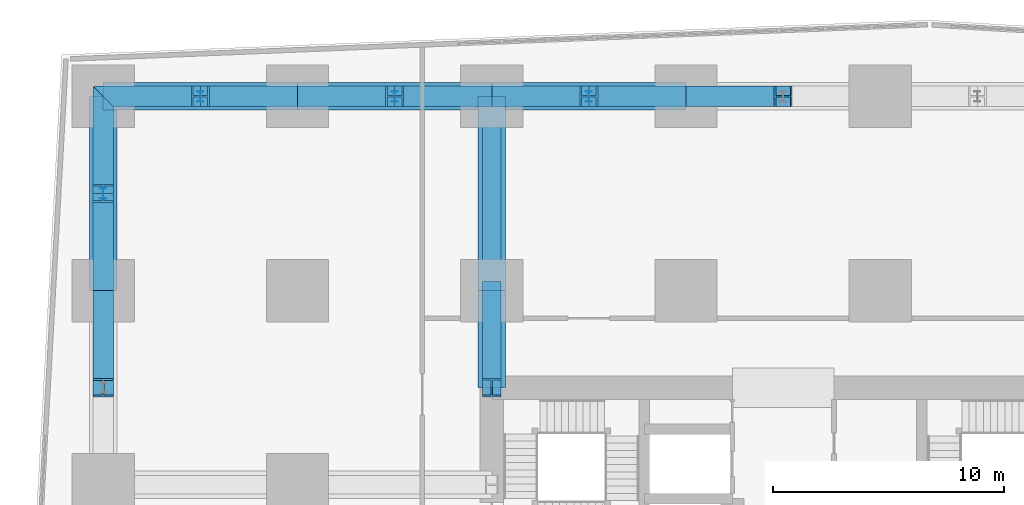
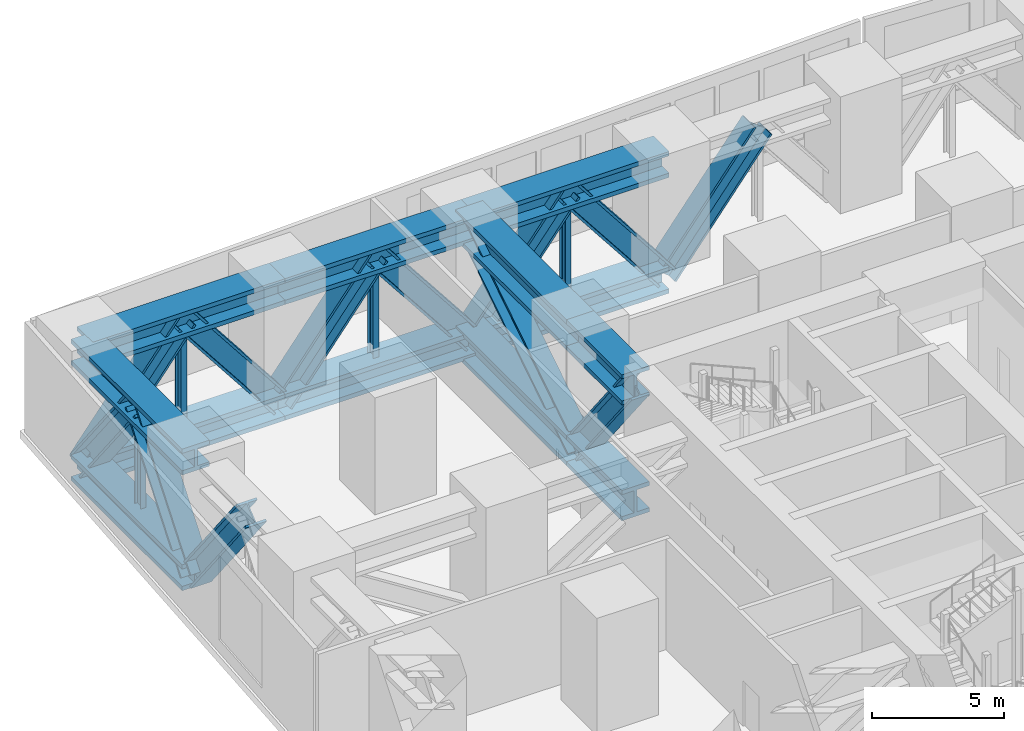
# One storey, part 6 of 16: 28 members.
"""IFC4 building model written with IfcOpenShell, lengths in metres."""

from ifc_helpers import new_model, si_unit, direction, frame, origin, origin_2d, place, context, subcontext, project, spatial, i_section, extrude, material, material_profile, profile_set, type_object, element, save


model = new_model("IFC4")

# Units and contexts
model_context = context("Model", 3, precision=1e-05, world=origin(), true_north=direction((0.0, 1.0)))
body_context = subcontext(model_context, "Body", "Model", "MODEL_VIEW")
ifc_project = project(units=[si_unit("LENGTHUNIT", "METRE"), si_unit("AREAUNIT", "SQUARE_METRE"), si_unit("VOLUMEUNIT", "CUBIC_METRE"), si_unit("PLANEANGLEUNIT", "RADIAN"), si_unit("MASSUNIT", "GRAM", prefix="KILO")], contexts=[model_context])

# Site, building, storey
site_placement = place(None, origin())
site = spatial("IfcSite", under=ifc_project, at=site_placement, CompositionType="ELEMENT")
building_placement = place(site_placement, origin())
building = spatial("IfcBuilding", under=site, at=building_placement, Name="Rekha Terrace Tower", CompositionType="ELEMENT")
storey_placement = place(building_placement, frame((0.0, 0.0, 162.800048828125)))
storey = spatial("IfcBuildingStorey", under=building, at=storey_placement, Name="L41", CompositionType="ELEMENT", Elevation=162.800048828125)

# Members
ifc_material = material(Name="Steel E350", Category="steel")
ifc_material_profile_1 = material_profile(ifc_material, i_section(OverallWidth=1.199951171875, OverallDepth=1.199951171875, WebThickness=0.1298828125, FlangeThickness=0.199951171875, at=origin_2d()), Name="BU 1200x1200x130x200")
ifc_profile_set_1 = profile_set([ifc_material_profile_1], Name="Steel E350")
member_type_1 = type_object("IfcMemberType", Name="BC41 BU 1200x1200x130x200 belt truss chord", PredefinedType="CHORD", material=ifc_profile_set_1)
for number, where, z_axis, x_axis, name in (
    (1, (33.60009765625, 58.800048828125, 4.300048828125), (-1.0, 0.0, 0.0), (0.0, -1.0, 0.0), "Belt top chord 5H-4H L41"),
    (2, (33.60009765625, 58.800048828125, -1.050048828125), (-1.0, 0.0, 0.0), (0.0, -1.0, 0.0), "Belt bottom chord 5H-4H L41"),
):
    element("IfcMember", number, at=place(storey_placement, frame(where, z_axis=z_axis, x_axis=x_axis)), inside=storey, type_object=member_type_1, Name=name, PredefinedType="CHORD", context=body_context, shape_type="SweptSolid", body=[
        extrude(i_section(OverallWidth=1.199951171875, OverallDepth=1.199951171875, WebThickness=0.1298828125, FlangeThickness=0.199951171875, at=origin_2d()), origin(), (0.0, 0.0, 1.0), 8.400146484375),
    ])
for number, where, z_axis, x_axis, name in (
    (3, (25.199951171875, 58.800048828125, 4.300048828125), (-1.0, 0.0, 0.0), (0.0, -1.0, 0.0), "Belt top chord 4H-3H L41"),
    (4, (25.199951171875, 58.800048828125, -1.050048828125), (-1.0, 0.0, 0.0), (0.0, -1.0, 0.0), "Belt bottom chord 4H-3H L41"),
):
    element("IfcMember", number, at=place(storey_placement, frame(where, z_axis=z_axis, x_axis=x_axis)), inside=storey, type_object=member_type_1, Name=name, PredefinedType="CHORD", context=body_context, shape_type="SweptSolid", body=[
        extrude(i_section(OverallWidth=1.199951171875, OverallDepth=1.199951171875, WebThickness=0.1298828125, FlangeThickness=0.199951171875, at=origin_2d()), origin(), (0.0, 0.0, 1.0), 8.39990234375),
    ])
for number, where, z_axis, x_axis, name in (
    (5, (16.800048828125, 58.800048828125, 4.300048828125), (-1.0, 0.0, 0.0), (0.0, -1.0, 0.0), "Belt top chord 3H-2H L41"),
    (6, (16.800048828125, 58.800048828125, -1.050048828125), (-1.0, 0.0, 0.0), (0.0, -1.0, 0.0), "Belt bottom chord 3H-2H L41"),
    (7, (8.39990234375, 58.800048828125, 4.300048828125), (0.0, -1.0, 0.0), (1.0, 0.0, 0.0), "Belt top chord 2H-2G L41"),
    (8, (8.39990234375, 58.800048828125, -1.050048828125), (0.0, -1.0, 0.0), (1.0, 0.0, 0.0), "Belt bottom chord 2H-2G L41"),
):
    element("IfcMember", number, at=place(storey_placement, frame(where, z_axis=z_axis, x_axis=x_axis)), inside=storey, type_object=member_type_1, Name=name, PredefinedType="CHORD", context=body_context, shape_type="SweptSolid", body=[
        extrude(i_section(OverallWidth=1.199951171875, OverallDepth=1.199951171875, WebThickness=0.1298828125, FlangeThickness=0.199951171875, at=origin_2d()), origin(), (0.0, 0.0, 1.0), 8.400146484375),
    ])
ifc_material_profile_2 = material_profile(ifc_material, i_section(OverallWidth=0.89990234375, OverallDepth=1.0, WebThickness=0.06005859375, FlangeThickness=0.10009765625, at=origin_2d()), Name="BU 1000x900x60x100")
ifc_profile_set_2 = profile_set([ifc_material_profile_2], Name="Steel E350")
member_type_2 = type_object("IfcMemberType", Name="BD41 BU 1000x900x60x100 belt truss diagonal", PredefinedType="BRACE", material=ifc_profile_set_2)
for number, where, z_axis, x_axis, name in (
    (9, (33.60009765625, 58.800048828125, -1.050048828125), (0.617485427507, 0.0, 0.786582320432), (0.0, 1.0, 0.0), "Belt diagonal 6H-5H L41"),
    (10, (33.60009765625, 58.800048828125, -1.050048828125), (-0.617507634842, 0.0, 0.78656488665), (0.0, -1.0, 0.0), "Belt diagonal 5H-4H L41"),
    (11, (25.199951171875, 58.800048828125, -1.050048828125), (0.617485427507, 0.0, 0.786582320432), (0.0, 1.0, 0.0), "Belt diagonal 5H-4H L41"),
    (12, (25.199951171875, 58.800048828125, -1.050048828125), (-0.617485427507, 0.0, 0.786582320432), (0.0, -1.0, 0.0), "Belt diagonal 4H-3H L41"),
    (13, (16.800048828125, 58.800048828125, -1.050048828125), (0.617485427507, 0.0, 0.786582320432), (0.0, 1.0, 0.0), "Belt diagonal 4H-3H L41"),
    (14, (16.800048828125, 58.800048828125, -1.050048828125), (-0.617485427507, 0.0, 0.786582320432), (0.0, -1.0, 0.0), "Belt diagonal 3H-2H L41"),
    (15, (8.39990234375, 58.800048828125, -1.050048828125), (0.617507634842, 0.0, 0.78656488665), (0.0, 1.0, 0.0), "Belt diagonal 3H-2H L41"),
    (16, (8.39990234375, 58.800048828125, -1.050048828125), (0.0, -0.617485427507, 0.786582320432), (1.0, 0.0, 0.0), "Belt diagonal 2H-2G L41"),
    (17, (8.39990234375, 50.39990234375, -1.050048828125), (0.0, 0.617507634842, 0.78656488665), (-1.0, 0.0, 0.0), "Belt diagonal 2H-2G L41"),
    (18, (8.39990234375, 50.39990234375, -1.050048828125), (0.0, -0.617485427507, 0.786582320432), (1.0, 0.0, 0.0), "Belt diagonal 2G-2F L41"),
):
    element("IfcMember", number, at=place(storey_placement, frame(where, z_axis=z_axis, x_axis=x_axis)), inside=storey, type_object=member_type_2, Name=name, PredefinedType="BRACE", context=body_context, shape_type="SweptSolid", body=[
        extrude(i_section(OverallWidth=0.89990234375, OverallDepth=1.0, WebThickness=0.06005859375, FlangeThickness=0.10009765625, at=origin_2d()), origin(), (0.0, 0.0, 1.0), 6.8017578125),
    ])
ifc_material_profile_3 = material_profile(ifc_material, i_section(OverallWidth=0.25, OverallDepth=0.449951171875, WebThickness=0.01123046875, FlangeThickness=0.017333984375, FilletRadius=0.014892578125, at=origin_2d()), Name="ISHB 450")
ifc_profile_set_3 = profile_set([ifc_material_profile_3], Name="Steel E350")
member_type_3 = type_object("IfcMemberType", Name="BV41 ISHB 450 belt truss post", PredefinedType="POST", material=ifc_profile_set_3)
for number, where, z_axis, x_axis, name in (
    (19, (29.39990234375, 58.800048828125, -0.449951171875), (0.0, 0.0, 1.0), (1.0, 0.0, 0.0), "Belt post 5H-4H L41"),
    (20, (21.0, 58.800048828125, -0.449951171875), (0.0, 0.0, 1.0), (1.0, 0.0, 0.0), "Belt post 4H-3H L41"),
    (21, (12.60009765625, 58.800048828125, -0.449951171875), (0.0, 0.0, 1.0), (1.0, 0.0, 0.0), "Belt post 3H-2H L41"),
    (22, (8.39990234375, 54.60009765625, -0.449951171875), (0.0, 0.0, 1.0), (1.0, 0.0, 0.0), "Belt post 2H-2G L41"),
):
    element("IfcMember", number, at=place(storey_placement, frame(where, z_axis=z_axis, x_axis=x_axis)), inside=storey, type_object=member_type_3, Name=name, PredefinedType="POST", context=body_context, shape_type="SweptSolid", body=[
        extrude(i_section(OverallWidth=0.25, OverallDepth=0.449951171875, WebThickness=0.01123046875, FlangeThickness=0.017333984375, FilletRadius=0.014892578125, at=origin_2d()), origin(), (0.0, 0.0, 1.0), 4.14990234375),
    ])
ifc_material_profile_4 = material_profile(ifc_material, i_section(OverallWidth=1.199951171875, OverallDepth=1.39990234375, WebThickness=0.139892578125, FlangeThickness=0.18994140625, at=origin_2d()), Name="BU 1400x1200x140x190")
ifc_profile_set_4 = profile_set([ifc_material_profile_4], Name="Steel E350")
member_type_4 = type_object("IfcMemberType", Name="OC41 BU 1400x1200x140x190 outrigger chord", PredefinedType="CHORD", material=ifc_profile_set_4)
for number, where, z_axis, x_axis, name in (
    (23, (25.199951171875, 46.199951171875, 4.300048828125), (0.0, 1.0, 0.0), (-1.0, 0.0, 0.0), "Outrigger top chord N4-1 L41"),
    (24, (25.199951171875, 46.199951171875, -1.050048828125), (0.0, 1.0, 0.0), (-1.0, 0.0, 0.0), "Outrigger bottom chord N4-1 L41"),
):
    element("IfcMember", number, at=place(storey_placement, frame(where, z_axis=z_axis, x_axis=x_axis)), inside=storey, type_object=member_type_4, Name=name, PredefinedType="CHORD", context=body_context, shape_type="SweptSolid", body=[
        extrude(i_section(OverallWidth=1.199951171875, OverallDepth=1.39990234375, WebThickness=0.139892578125, FlangeThickness=0.18994140625, at=origin_2d()), origin(), (0.0, 0.0, 1.0), 4.199951171875),
    ])
for number, where, z_axis, x_axis, name in (
    (25, (25.199951171875, 50.39990234375, 4.300048828125), (0.0, 1.0, 0.0), (-1.0, 0.0, 0.0), "Outrigger top chord N4-2 L41"),
    (26, (25.199951171875, 50.39990234375, -1.050048828125), (0.0, 1.0, 0.0), (-1.0, 0.0, 0.0), "Outrigger bottom chord N4-2 L41"),
):
    element("IfcMember", number, at=place(storey_placement, frame(where, z_axis=z_axis, x_axis=x_axis)), inside=storey, type_object=member_type_4, Name=name, PredefinedType="CHORD", context=body_context, shape_type="SweptSolid", body=[
        extrude(i_section(OverallWidth=1.199951171875, OverallDepth=1.39990234375, WebThickness=0.139892578125, FlangeThickness=0.18994140625, at=origin_2d()), origin(), (0.0, 0.0, 1.0), 8.400146484375),
    ])
ifc_material_profile_5 = material_profile(ifc_material, i_section(OverallWidth=0.800048828125, OverallDepth=1.0, WebThickness=0.050048828125, FlangeThickness=0.090087890625, at=origin_2d()), Name="BU 1000x800x50x90")
ifc_profile_set_5 = profile_set([ifc_material_profile_5], Name="Steel E350")
member_type_5 = type_object("IfcMemberType", Name="OD41 BU 1000x800x50x90 outrigger diagonal", PredefinedType="BRACE", material=ifc_profile_set_5)
member_1_placement = place(storey_placement, frame((25.199951171875, 46.199951171875, 4.300048828125), z_axis=(0.0, 0.617485427507, -0.786582320432), x_axis=(-1.0, 0.0, 0.0)))
element("IfcMember", 27, at=member_1_placement, inside=storey, type_object=member_type_5, Name="Outrigger diagonal N4-1 L41", PredefinedType="BRACE", context=body_context, shape_type="SweptSolid", body=[
    extrude(i_section(OverallWidth=0.800048828125, OverallDepth=1.0, WebThickness=0.050048828125, FlangeThickness=0.090087890625, at=origin_2d()), origin(), (0.0, 0.0, 1.0), 6.8017578125),
])
member_2_placement = place(storey_placement, frame((25.199951171875, 50.39990234375, -1.050048828125), z_axis=(0.0, 0.843454497748, 0.537200623816), x_axis=(-1.0, 0.0, 0.0)))
element("IfcMember", 28, at=member_2_placement, inside=storey, type_object=member_type_5, Name="Outrigger diagonal N4-2 L41", PredefinedType="BRACE", context=body_context, shape_type="SweptSolid", body=[
    extrude(i_section(OverallWidth=0.800048828125, OverallDepth=1.0, WebThickness=0.050048828125, FlangeThickness=0.090087890625, at=origin_2d()), origin(), (0.0, 0.0, 1.0), 9.959228515625),
])

save(model, "model.ifc")
